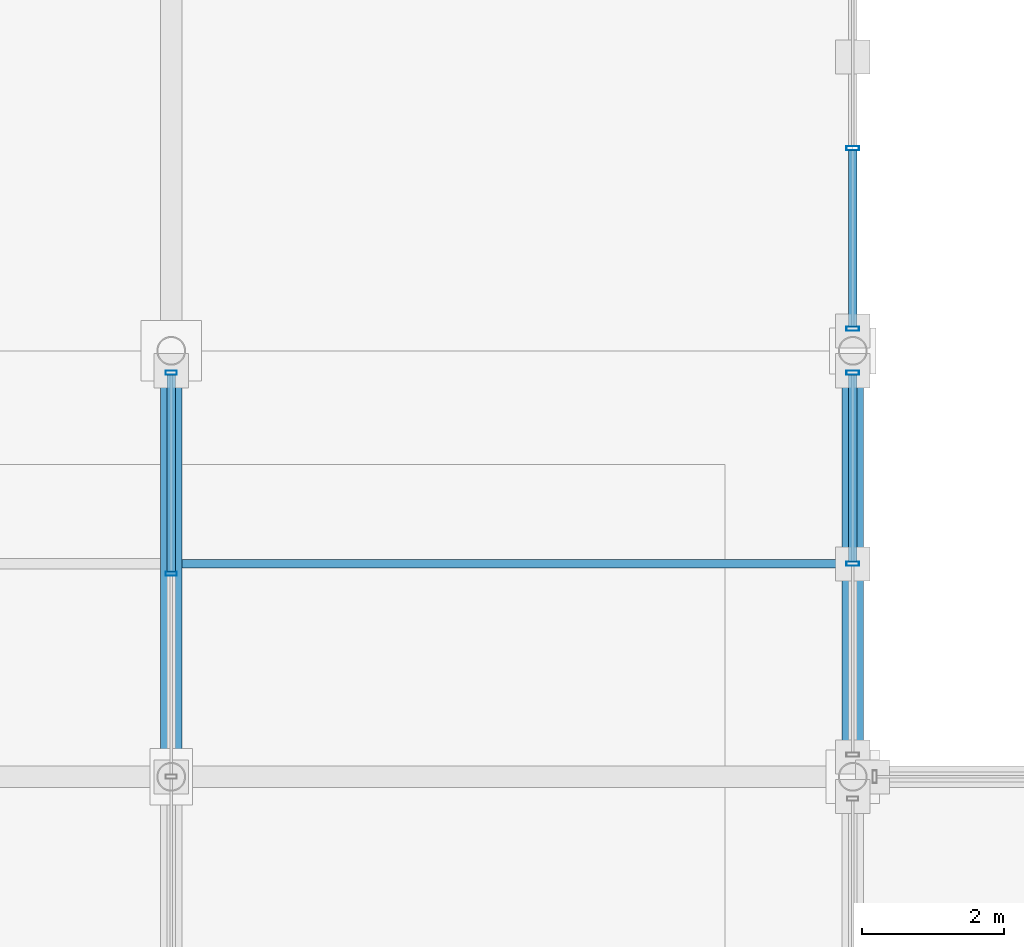
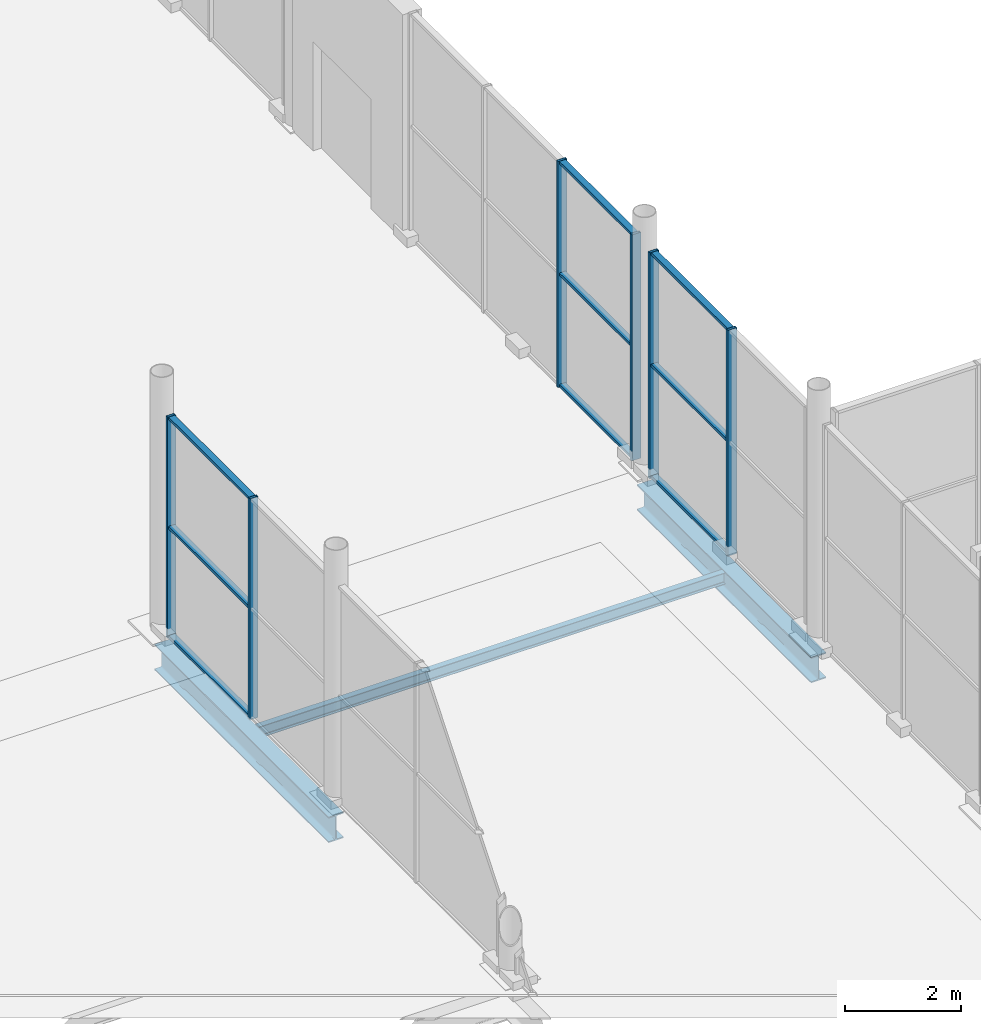
# One storey, part 80 of 196: 15 members, 3 beams, 3 elements without a shape of their own.
"""IFC4 building model written with IfcOpenShell, lengths in metres."""

from ifc_helpers import new_model, si_unit, direction, frame, origin, origin_2d, place, context, subcontext, project, spatial, hollow_rectangle, i_section, extrude, material, material_profile, profile_set, type_object, element, aggregate, save


model = new_model("IFC4")

# Units and contexts
model_context = context("Model", 3, precision=1e-05, world=origin(), true_north=direction((0.0, 1.0)))
body_context = subcontext(model_context, "Body", "Model", "MODEL_VIEW")
ifc_project = project(units=[si_unit("LENGTHUNIT", "METRE"), si_unit("AREAUNIT", "SQUARE_METRE"), si_unit("VOLUMEUNIT", "CUBIC_METRE"), si_unit("PLANEANGLEUNIT", "RADIAN"), si_unit("MASSUNIT", "GRAM", prefix="KILO")], contexts=[model_context])

# Site, building, storey
site_placement = place(None, origin())
site = spatial("IfcSite", under=ifc_project, at=site_placement, CompositionType="ELEMENT")
building_placement = place(site_placement, origin())
building = spatial("IfcBuilding", under=site, at=building_placement, Name="Merenkruunu Market Hall", CompositionType="ELEMENT")
storey_placement = place(building_placement, origin())
storey = spatial("IfcBuildingStorey", under=building, at=storey_placement, Name="L00", CompositionType="ELEMENT", Elevation=0.0)

# Curtain wall, members
ifc_material_1 = material(Name="Powder-coated aluminium", Category="aluminium")
curtain_wall_type_1 = type_object("IfcCurtainWallType", Name="Glazed Curtain Wall CW15", PredefinedType="USERDEFINED", material=ifc_material_1)
curtain_wall_1_placement = place(storey_placement, origin())
curtain_wall_1 = element("IfcCurtainWall", 1, at=curtain_wall_1_placement, inside=storey, type_object=curtain_wall_type_1, Name="CW-L00-CWM01-172", ObjectType="GLAZED_FACADE", PredefinedType="USERDEFINED")
ifc_material_profile_1 = material_profile(ifc_material_1, hollow_rectangle(XDim=0.06005859375, YDim=0.159912109375, WallThickness=0.00390625, at=origin_2d()), Name="ALU 60x160x4")
ifc_profile_set_1 = profile_set([ifc_material_profile_1], Name="Powder-coated aluminium")
member_type_1 = type_object("IfcMemberType", Name="Curtain Wall Mullion CWM01", PredefinedType="MULLION", material=ifc_profile_set_1)
member_1_placement = place(storey_placement, frame((67.199951171875, 48.4599609375, 0.0), z_axis=(0.0, 0.0, 1.0), x_axis=(0.0, 1.0, 0.0)))
member_1 = element("IfcMember", 2, at=member_1_placement, type_object=member_type_1, Name="CW15 mullion 4", PredefinedType="MULLION", context=body_context, shape_type="SweptSolid", body=[
    extrude(hollow_rectangle(XDim=0.06005859375, YDim=0.159912109375, WallThickness=0.00390625, at=origin_2d()), origin(), (0.0, 0.0, 1.0), 4.64990234375),
])
member_2_placement = place(storey_placement, frame((67.199951171875, 51.2900390625, 0.0), z_axis=(0.0, 0.0, 1.0), x_axis=(0.0, 1.0, 0.0)))
member_2 = element("IfcMember", 3, at=member_2_placement, type_object=member_type_1, Name="CW15 mullion 5", PredefinedType="MULLION", context=body_context, shape_type="SweptSolid", body=[
    extrude(hollow_rectangle(XDim=0.06005859375, YDim=0.159912109375, WallThickness=0.00390625, at=origin_2d()), origin(), (0.0, 0.0, 1.0), 4.64990234375),
])

curtain_wall_type_2 = type_object("IfcCurtainWallType", Name="Glazed Curtain Wall CW12", PredefinedType="USERDEFINED", material=ifc_material_1)
curtain_wall_2_placement = place(storey_placement, origin())
curtain_wall_2 = element("IfcCurtainWall", 4, at=curtain_wall_2_placement, inside=storey, type_object=curtain_wall_type_2, Name="CW-L00-CWM02-156", ObjectType="GLAZED_FACADE", PredefinedType="USERDEFINED")
ifc_material_profile_2 = material_profile(ifc_material_1, hollow_rectangle(XDim=0.06005859375, YDim=0.179931640625, WallThickness=0.00390625, at=origin_2d()), Name="ALU 60x180x4")
ifc_profile_set_2 = profile_set([ifc_material_profile_2], Name="Powder-coated aluminium")
member_type_2 = type_object("IfcMemberType", Name="Curtain Wall Mullion CWM02", PredefinedType="MULLION", material=ifc_profile_set_2)
member_3_placement = place(storey_placement, frame((76.800048828125, 51.2900390625, 0.0), z_axis=(0.0, 0.0, 1.0), x_axis=(0.0, -1.0, 0.0)))
member_3 = element("IfcMember", 5, at=member_3_placement, type_object=member_type_2, Name="CW12 mullion 1", PredefinedType="MULLION", context=body_context, shape_type="SweptSolid", body=[
    extrude(hollow_rectangle(XDim=0.06005859375, YDim=0.179931640625, WallThickness=0.00390625, at=origin_2d()), origin(), (0.0, 0.0, 1.0), 4.75),
])
member_4_placement = place(storey_placement, frame((76.800048828125, 48.60009765625, 0.0), z_axis=(0.0, 0.0, 1.0), x_axis=(0.0, -1.0, 0.0)))
member_4 = element("IfcMember", 6, at=member_4_placement, type_object=member_type_2, Name="CW12 mullion 2", PredefinedType="MULLION", context=body_context, shape_type="SweptSolid", body=[
    extrude(hollow_rectangle(XDim=0.06005859375, YDim=0.179931640625, WallThickness=0.00390625, at=origin_2d()), origin(), (0.0, 0.0, 1.0), 4.75),
])

curtain_wall_3_placement = place(storey_placement, origin())
curtain_wall_3 = element("IfcCurtainWall", 7, at=curtain_wall_3_placement, inside=storey, type_object=curtain_wall_type_2, Name="CW-L00-CWM02-159", ObjectType="GLAZED_FACADE", PredefinedType="USERDEFINED")
member_5_placement = place(storey_placement, frame((76.800048828125, 54.453369140625, 0.0), z_axis=(0.0, 0.0, 1.0), x_axis=(0.0, -1.0, 0.0)))
member_5 = element("IfcMember", 8, at=member_5_placement, type_object=member_type_2, Name="CW12 mullion 3", PredefinedType="MULLION", context=body_context, shape_type="SweptSolid", body=[
    extrude(hollow_rectangle(XDim=0.06005859375, YDim=0.179931640625, WallThickness=0.00390625, at=origin_2d()), origin(), (0.0, 0.0, 1.0), 4.75),
])
member_6_placement = place(storey_placement, frame((76.800048828125, 51.909912109375, 0.0), z_axis=(0.0, 0.0, 1.0), x_axis=(0.0, -1.0, 0.0)))
member_6 = element("IfcMember", 9, at=member_6_placement, type_object=member_type_2, Name="CW12 mullion 4", PredefinedType="MULLION", context=body_context, shape_type="SweptSolid", body=[
    extrude(hollow_rectangle(XDim=0.06005859375, YDim=0.179931640625, WallThickness=0.00390625, at=origin_2d()), origin(), (0.0, 0.0, 1.0), 4.75),
])

# Member
ifc_material_profile_3 = material_profile(ifc_material_1, hollow_rectangle(XDim=0.06005859375, YDim=0.125, WallThickness=0.00390625, at=origin_2d()), Name="ALU 60x125x4")
ifc_profile_set_3 = profile_set([ifc_material_profile_3], Name="Powder-coated aluminium")
member_type_3 = type_object("IfcMemberType", Name="Curtain Wall Transom CWT01", PredefinedType="USERDEFINED", material=ifc_profile_set_3)
member_7_placement = place(storey_placement, frame((76.800048828125, 51.260009765625, 0.030029296875), z_axis=(0.0, -1.0, 0.0), x_axis=(0.0, 0.0, 1.0)))
member_7 = element("IfcMember", 10, at=member_7_placement, type_object=member_type_3, Name="CW12 transom 1.1", ObjectType="TRANSOM", PredefinedType="USERDEFINED", context=body_context, shape_type="SweptSolid", body=[
    extrude(hollow_rectangle(XDim=0.06005859375, YDim=0.125, WallThickness=0.00390625, at=origin_2d()), origin(), (0.0, 0.0, 1.0), 2.630126953125),
])

member_8_placement = place(storey_placement, frame((76.800048828125, 51.260009765625, 2.375), z_axis=(0.0, -1.0, 0.0), x_axis=(0.0, 0.0, 1.0)))
member_8 = element("IfcMember", 11, at=member_8_placement, type_object=member_type_3, Name="CW12 transom 1.2", ObjectType="TRANSOM", PredefinedType="USERDEFINED", context=body_context, shape_type="SweptSolid", body=[
    extrude(hollow_rectangle(XDim=0.06005859375, YDim=0.125, WallThickness=0.00390625, at=origin_2d()), origin(), (0.0, 0.0, 1.0), 2.630126953125),
])

member_9_placement = place(storey_placement, frame((76.800048828125, 51.260009765625, 4.719970703125), z_axis=(0.0, -1.0, 0.0), x_axis=(0.0, 0.0, 1.0)))
member_9 = element("IfcMember", 12, at=member_9_placement, type_object=member_type_3, Name="CW12 transom 1.3", ObjectType="TRANSOM", PredefinedType="USERDEFINED", context=body_context, shape_type="SweptSolid", body=[
    extrude(hollow_rectangle(XDim=0.06005859375, YDim=0.125, WallThickness=0.00390625, at=origin_2d()), origin(), (0.0, 0.0, 1.0), 2.630126953125),
])

aggregate(curtain_wall_2, [member_3, member_4, member_7, member_8, member_9])

member_10_placement = place(storey_placement, frame((76.800048828125, 54.42333984375, 0.030029296875), z_axis=(0.0, -1.0, 0.0), x_axis=(0.0, 0.0, 1.0)))
member_10 = element("IfcMember", 13, at=member_10_placement, type_object=member_type_3, Name="CW12 transom 3.1", ObjectType="TRANSOM", PredefinedType="USERDEFINED", context=body_context, shape_type="SweptSolid", body=[
    extrude(hollow_rectangle(XDim=0.06005859375, YDim=0.125, WallThickness=0.00390625, at=origin_2d()), origin(), (0.0, 0.0, 1.0), 2.4833984375),
])

member_11_placement = place(storey_placement, frame((76.800048828125, 54.42333984375, 2.375), z_axis=(0.0, -1.0, 0.0), x_axis=(0.0, 0.0, 1.0)))
member_11 = element("IfcMember", 14, at=member_11_placement, type_object=member_type_3, Name="CW12 transom 3.2", ObjectType="TRANSOM", PredefinedType="USERDEFINED", context=body_context, shape_type="SweptSolid", body=[
    extrude(hollow_rectangle(XDim=0.06005859375, YDim=0.125, WallThickness=0.00390625, at=origin_2d()), origin(), (0.0, 0.0, 1.0), 2.4833984375),
])

member_12_placement = place(storey_placement, frame((76.800048828125, 54.42333984375, 4.719970703125), z_axis=(0.0, -1.0, 0.0), x_axis=(0.0, 0.0, 1.0)))
member_12 = element("IfcMember", 15, at=member_12_placement, type_object=member_type_3, Name="CW12 transom 3.3", ObjectType="TRANSOM", PredefinedType="USERDEFINED", context=body_context, shape_type="SweptSolid", body=[
    extrude(hollow_rectangle(XDim=0.06005859375, YDim=0.125, WallThickness=0.00390625, at=origin_2d()), origin(), (0.0, 0.0, 1.0), 2.4833984375),
])

aggregate(curtain_wall_3, [member_5, member_6, member_10, member_11, member_12])

member_13_placement = place(storey_placement, frame((67.199951171875, 48.489990234375, 0.030029296875), z_axis=(0.0, 1.0, 0.0), x_axis=(0.0, 0.0, 1.0)))
member_13 = element("IfcMember", 16, at=member_13_placement, type_object=member_type_3, Name="CW15 transom 4.1", ObjectType="TRANSOM", PredefinedType="USERDEFINED", context=body_context, shape_type="SweptSolid", body=[
    extrude(hollow_rectangle(XDim=0.06005859375, YDim=0.125, WallThickness=0.00390625, at=origin_2d()), origin(), (0.0, 0.0, 1.0), 2.77001953125),
])

member_14_placement = place(storey_placement, frame((67.199951171875, 48.489990234375, 2.324951171875), z_axis=(0.0, 1.0, 0.0), x_axis=(0.0, 0.0, 1.0)))
member_14 = element("IfcMember", 17, at=member_14_placement, type_object=member_type_3, Name="CW15 transom 4.2", ObjectType="TRANSOM", PredefinedType="USERDEFINED", context=body_context, shape_type="SweptSolid", body=[
    extrude(hollow_rectangle(XDim=0.06005859375, YDim=0.125, WallThickness=0.00390625, at=origin_2d()), origin(), (0.0, 0.0, 1.0), 2.77001953125),
])

member_15_placement = place(storey_placement, frame((67.199951171875, 48.489990234375, 4.6201171875), z_axis=(0.0, 1.0, 0.0), x_axis=(0.0, 0.0, 1.0)))
member_15 = element("IfcMember", 18, at=member_15_placement, type_object=member_type_3, Name="CW15 transom 4.3", ObjectType="TRANSOM", PredefinedType="USERDEFINED", context=body_context, shape_type="SweptSolid", body=[
    extrude(hollow_rectangle(XDim=0.06005859375, YDim=0.125, WallThickness=0.00390625, at=origin_2d()), origin(), (0.0, 0.0, 1.0), 2.77001953125),
])

aggregate(curtain_wall_1, [member_1, member_2, member_13, member_14, member_15])

# Beams
ifc_material_2 = material(Name="Steel S355J2", Category="steel")
ifc_material_profile_4 = material_profile(ifc_material_2, i_section(OverallWidth=0.300048828125, OverallDepth=0.5400390625, WebThickness=0.012451171875, FlangeThickness=0.02392578125, FilletRadius=0.027099609375, at=origin_2d()), Name="HEA 550")
ifc_profile_set_4 = profile_set([ifc_material_profile_4], Name="Steel S355J2")
beam_type_1 = type_object("IfcBeamType", Name="Primary Floor Girder B06", PredefinedType="BEAM", material=ifc_profile_set_4)
for number, where, z_axis, x_axis, name in (
    (19, (67.199951171875, 45.60009765625, -0.570068359375), (0.0, 1.0, 0.0), (-1.0, 0.0, 0.0), "BM-L00-B06-0197"),
    (20, (76.800048828125, 45.60009765625, -0.570068359375), (0.0, 1.0, 0.0), (-1.0, 0.0, 0.0), "BM-L00-B06-0206"),
):
    element("IfcBeam", number, at=place(storey_placement, frame(where, z_axis=z_axis, x_axis=x_axis)), inside=storey, type_object=beam_type_1, Name=name, PredefinedType="BEAM", context=body_context, shape_type="SweptSolid", body=[
        extrude(i_section(OverallWidth=0.300048828125, OverallDepth=0.5400390625, WebThickness=0.012451171875, FlangeThickness=0.02392578125, FilletRadius=0.027099609375, at=origin_2d()), origin(), (0.0, 0.0, 1.0), 6.0),
    ])
ifc_material_profile_5 = material_profile(ifc_material_2, i_section(OverallWidth=0.1201171875, OverallDepth=0.239990234375, WebThickness=0.006103515625, FlangeThickness=0.009765625, FilletRadius=0.014892578125, at=origin_2d()), Name="IPE 240")
ifc_profile_set_5 = profile_set([ifc_material_profile_5], Name="Steel S355J2")
beam_type_2 = type_object("IfcBeamType", Name="Secondary Floor Joist J05", PredefinedType="JOIST", material=ifc_profile_set_5)
beam_placement = place(storey_placement, frame((67.35302734375, 48.60009765625, -0.419921875), z_axis=(1.0, 0.0, 0.0), x_axis=(0.0, 1.0, 0.0)))
element("IfcBeam", 21, at=beam_placement, inside=storey, type_object=beam_type_2, Name="BM-L00-J05-0365", PredefinedType="JOIST", context=body_context, shape_type="SweptSolid", body=[
    extrude(i_section(OverallWidth=0.1201171875, OverallDepth=0.239990234375, WebThickness=0.006103515625, FlangeThickness=0.009765625, FilletRadius=0.014892578125, at=origin_2d()), origin(), (0.0, 0.0, 1.0), 9.2939453125),
])

save(model, "model.ifc")
